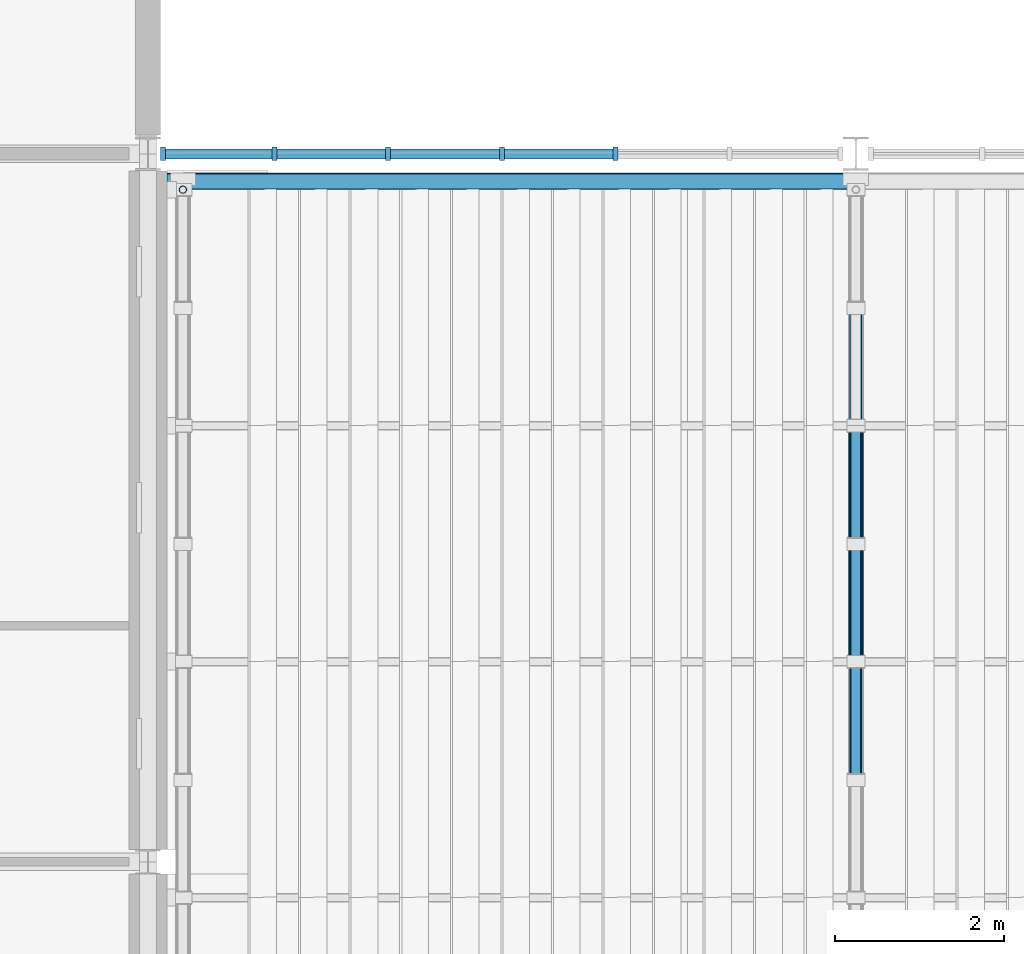
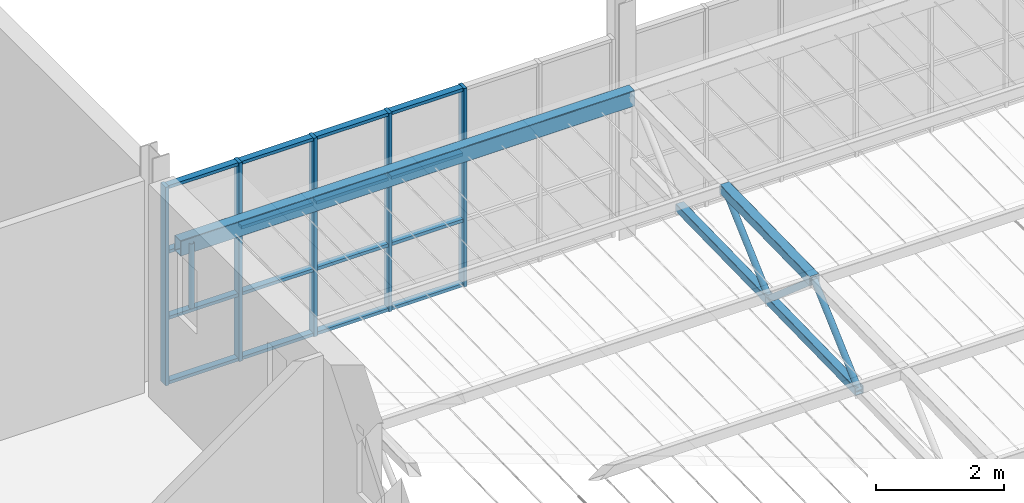
# One storey, part 18 of 129: 28 members, 1 beam, 1 element without a shape of its own.
"""IFC4 building model written with IfcOpenShell, lengths in metres."""

from ifc_helpers import new_model, si_unit, direction, frame, origin, origin_2d, place, context, subcontext, project, spatial, rectangle, hollow_rectangle, hollow_circle, extrude, material, layer, layer_set, material_profile, profile_set, type_object, element, aggregate, save


model = new_model("IFC4")

# Units and contexts
model_context = context("Model", 3, precision=1e-05, world=origin(), true_north=direction((0.0, 1.0)))
body_context = subcontext(model_context, "Body", "Model", "MODEL_VIEW")
ifc_project = project(units=[si_unit("LENGTHUNIT", "METRE"), si_unit("AREAUNIT", "SQUARE_METRE"), si_unit("VOLUMEUNIT", "CUBIC_METRE"), si_unit("PLANEANGLEUNIT", "RADIAN"), si_unit("MASSUNIT", "GRAM", prefix="KILO")], contexts=[model_context])

# Site, building, storey
site_placement = place(None, origin())
site = spatial("IfcSite", under=ifc_project, at=site_placement, CompositionType="ELEMENT")
building_placement = place(site_placement, origin())
building = spatial("IfcBuilding", under=site, at=building_placement, Name="Ardhachandra Cancer Care Centre", CompositionType="ELEMENT")
storey_placement = place(building_placement, frame((0.0, 0.0, 4.5)))
storey = spatial("IfcBuildingStorey", under=building, at=storey_placement, Name="L01", CompositionType="ELEMENT", Elevation=4.5)

# Beam
ifc_material_1 = material(Name="Steel E350 (IS 2062)", Category="steel")
ifc_material_profile_1 = material_profile(ifc_material_1, hollow_rectangle(XDim=0.199951171875, YDim=0.300048828125, WallThickness=0.010009765625, InnerFilletRadius=0.010009765625, OuterFilletRadius=0.02001953125, at=origin_2d()), Name="RHS 300x200x10.0")
ifc_profile_set_1 = profile_set([ifc_material_profile_1], Name="Steel E350 (IS 2062)")
beam_type = type_object("IfcBeamType", Name="Canopy ring and eave beam RHS 300x200x10.0", PredefinedType="BEAM", material=ifc_profile_set_1)
beam_placement = place(storey_placement, frame((44.625, 54.27490234375, 2.79541015625), z_axis=(1.0, 0.0, 0.0), x_axis=(0.0, 1.0, 0.0)))
element("IfcBeam", 1, at=beam_placement, inside=storey, type_object=beam_type, Name="Canopy eave beam 1", PredefinedType="BEAM", context=body_context, shape_type="SweptSolid", body=[
    extrude(hollow_rectangle(XDim=0.199951171875, YDim=0.300048828125, WallThickness=0.010009765625, InnerFilletRadius=0.010009765625, OuterFilletRadius=0.02001953125, at=origin_2d()), origin(), (0.0, 0.0, 1.0), 8.175048828125),
])

# Members
ifc_material_2 = material(Name="Steel E350 (IS 2062)", Category="steel")
ifc_material_profile_2 = material_profile(ifc_material_2, hollow_rectangle(XDim=0.14990234375, YDim=0.14990234375, WallThickness=0.006103515625, InnerFilletRadius=0.006103515625, OuterFilletRadius=0.011962890625, at=origin_2d()), Name="SHS 150x150x6.0")
ifc_profile_set_2 = profile_set([ifc_material_profile_2], Name="Steel E350 (IS 2062)")
member_type_1 = type_object("IfcMemberType", Name="Canopy truss bottom chord SHS 150x150x6.0", PredefinedType="CHORD", material=ifc_profile_set_2)
member_1_placement = place(storey_placement, frame((52.800048828125, 52.77490234375, 1.590576171875), z_axis=(0.0, -0.999798942946, -0.020051775103), x_axis=(1.0, 0.0, 0.0)))
element("IfcMember", 2, at=member_1_placement, inside=storey, type_object=member_type_1, Name="Canopy truss 2 bottom chord BC11", PredefinedType="CHORD", context=body_context, shape_type="SweptSolid", body=[
    extrude(hollow_rectangle(XDim=0.14990234375, YDim=0.14990234375, WallThickness=0.006103515625, InnerFilletRadius=0.006103515625, OuterFilletRadius=0.011962890625, at=origin_2d()), origin(), (0.0, 0.0, 1.0), 2.80029296875),
])
member_2_placement = place(storey_placement, frame((52.800048828125, 49.97509765625, 1.534423828125), z_axis=(0.0, -0.999800721691, -0.019962888244), x_axis=(1.0, 0.0, 0.0)))
element("IfcMember", 3, at=member_2_placement, inside=storey, type_object=member_type_1, Name="Canopy truss 2 bottom chord BC12", PredefinedType="CHORD", context=body_context, shape_type="SweptSolid", body=[
    extrude(hollow_rectangle(XDim=0.14990234375, YDim=0.14990234375, WallThickness=0.006103515625, InnerFilletRadius=0.006103515625, OuterFilletRadius=0.011962890625, at=origin_2d()), origin(), (0.0, 0.0, 1.0), 2.800537109375),
])
ifc_material_3 = material(Name="Steel E350 (IS 2062)", Category="steel")
ifc_material_profile_3 = material_profile(ifc_material_3, hollow_circle(Radius=0.05712890625, WallThickness=0.0048828125, at=origin_2d()), Name="CHS 114.3x5.0")
ifc_profile_set_3 = profile_set([ifc_material_profile_3], Name="Steel E350 (IS 2062)")
member_type_2 = type_object("IfcMemberType", Name="Canopy truss diagonal CHS 114.3x5.0", PredefinedType="BRACE", material=ifc_profile_set_3)
member_3_placement = place(storey_placement, frame((52.800048828125, 51.375, 2.797607421875), z_axis=(0.0, -0.742430813776, -0.669922746857), x_axis=(1.0, 0.0, 0.0)))
element("IfcMember", 4, at=member_3_placement, inside=storey, type_object=member_type_2, Name="Canopy truss 2 web diagonal WD21", PredefinedType="BRACE", context=body_context, shape_type="SweptSolid", body=[
    extrude(hollow_circle(Radius=0.05712890625, WallThickness=0.0048828125, at=origin_2d()), origin(), (0.0, 0.0, 1.0), 1.885498046875),
])
member_4_placement = place(storey_placement, frame((52.800048828125, 49.97509765625, 1.534423828125), z_axis=(0.0, -0.75740770942, 0.65294223459), x_axis=(1.0, 0.0, 0.0)))
element("IfcMember", 5, at=member_4_placement, inside=storey, type_object=member_type_2, Name="Canopy truss 2 web diagonal WD22", PredefinedType="BRACE", context=body_context, shape_type="SweptSolid", body=[
    extrude(hollow_circle(Radius=0.05712890625, WallThickness=0.0048828125, at=origin_2d()), origin(), (0.0, 0.0, 1.0), 1.8486328125),
])
member_5_placement = place(storey_placement, frame((52.800048828125, 48.574951171875, 2.741455078125), z_axis=(0.0, -0.742495214915, -0.669851368461), x_axis=(1.0, 0.0, 0.0)))
element("IfcMember", 6, at=member_5_placement, inside=storey, type_object=member_type_2, Name="Canopy truss 2 web diagonal WD23", PredefinedType="BRACE", context=body_context, shape_type="SweptSolid", body=[
    extrude(hollow_circle(Radius=0.05712890625, WallThickness=0.0048828125, at=origin_2d()), origin(), (0.0, 0.0, 1.0), 1.885498046875),
])
ifc_material_4 = material(Name="Steel E350 (IS 2062)", Category="steel")
ifc_material_profile_4 = material_profile(ifc_material_4, hollow_circle(Radius=0.04443359375, WallThickness=0.00390625, at=origin_2d()), Name="CHS 88.9x4.0")
ifc_profile_set_4 = profile_set([ifc_material_profile_4], Name="Steel E350 (IS 2062)")
member_type_3 = type_object("IfcMemberType", Name="Canopy truss post CHS 88.9x4.0", PredefinedType="POST", material=ifc_profile_set_4)
member_6_placement = place(storey_placement, frame((44.81494140625, 54.175048828125, 2.853515625), z_axis=(0.0, 0.0, -1.0), x_axis=(1.0, 0.0, 0.0)))
element("IfcMember", 7, at=member_6_placement, inside=storey, type_object=member_type_3, Name="Canopy truss 1 web vertical WV34", PredefinedType="POST", context=body_context, shape_type="SweptSolid", body=[
    extrude(hollow_circle(Radius=0.04443359375, WallThickness=0.00390625, at=origin_2d()), origin(), (0.0, 0.0, 1.0), 1.235107421875),
])
ifc_material_5 = material(Name="Steel E350 (IS 2062)", Category="steel")
ifc_material_profile_5 = material_profile(ifc_material_5, hollow_rectangle(XDim=0.179931640625, YDim=0.179931640625, WallThickness=0.008056640625, InnerFilletRadius=0.008056640625, OuterFilletRadius=0.01611328125, at=origin_2d()), Name="SHS 180x180x8.0")
ifc_profile_set_5 = profile_set([ifc_material_profile_5], Name="Steel E350 (IS 2062)")
member_type_4 = type_object("IfcMemberType", Name="Canopy truss top chord SHS 180x180x8.0", PredefinedType="CHORD", material=ifc_profile_set_5)
member_7_placement = place(storey_placement, frame((52.800048828125, 51.375, 2.797607421875), z_axis=(0.0, -0.999798977995, -0.02005002746), x_axis=(1.0, 0.0, 0.0)))
element("IfcMember", 8, at=member_7_placement, inside=storey, type_object=member_type_4, Name="Canopy truss 2 top chord TC2", PredefinedType="CHORD", context=body_context, shape_type="SweptSolid", body=[
    extrude(hollow_rectangle(XDim=0.179931640625, YDim=0.179931640625, WallThickness=0.008056640625, InnerFilletRadius=0.008056640625, OuterFilletRadius=0.01611328125, at=origin_2d()), origin(), (0.0, 0.0, 1.0), 2.800537109375),
])

# Curtain wall, members
ifc_material_6 = material(Name="Aluminium extrusion", Category="aluminium")
ifc_layer = layer(ifc_material_6, 0.14990234375)
ifc_layer_set = layer_set([ifc_layer], Name="Aluminium extrusion")
curtain_wall_type = type_object("IfcCurtainWallType", Name="Curtain wall run", PredefinedType="NOTDEFINED", material=ifc_layer_set)
curtain_wall_placement = place(storey_placement, origin())
curtain_wall = element("IfcCurtainWall", 9, at=curtain_wall_placement, inside=storey, type_object=curtain_wall_type, Name="Curtain wall L01 s/0044400_0054600", PredefinedType="NOTDEFINED")
ifc_material_7 = material(Name="Aluminium extrusion", Category="aluminium")
ifc_material_profile_6 = material_profile(ifc_material_7, rectangle(XDim=0.159912109375, YDim=0.06005859375, at=origin_2d()), Name="Curtain wall mullion 60 x 160")
ifc_profile_set_6 = profile_set([ifc_material_profile_6], Name="Aluminium extrusion")
member_type_5 = type_object("IfcMemberType", Name="Curtain wall mullion 60 x 160", PredefinedType="MULLION", material=ifc_profile_set_6)
member_8_placement = place(storey_placement, frame((44.580078125, 54.60009765625, 0.0), z_axis=(0.0, 0.0, 1.0), x_axis=(0.0, 1.0, 0.0)))
member_8 = element("IfcMember", 10, at=member_8_placement, type_object=member_type_5, Name="CW mullion 1", PredefinedType="MULLION", context=body_context, shape_type="SweptSolid", body=[
    extrude(rectangle(XDim=0.159912109375, YDim=0.06005859375, at=origin_2d()), origin(), (0.0, 0.0, 1.0), 3.780517578125),
])
member_9_placement = place(storey_placement, frame((45.89990234375, 54.60009765625, 0.0), z_axis=(0.0, 0.0, 1.0), x_axis=(0.0, 1.0, 0.0)))
member_9 = element("IfcMember", 11, at=member_9_placement, type_object=member_type_5, Name="CW mullion 2", PredefinedType="MULLION", context=body_context, shape_type="SweptSolid", body=[
    extrude(rectangle(XDim=0.159912109375, YDim=0.06005859375, at=origin_2d()), origin(), (0.0, 0.0, 1.0), 3.780517578125),
])
member_10_placement = place(storey_placement, frame((47.25, 54.60009765625, 0.0), z_axis=(0.0, 0.0, 1.0), x_axis=(0.0, 1.0, 0.0)))
member_10 = element("IfcMember", 12, at=member_10_placement, type_object=member_type_5, Name="CW mullion 3", PredefinedType="MULLION", context=body_context, shape_type="SweptSolid", body=[
    extrude(rectangle(XDim=0.159912109375, YDim=0.06005859375, at=origin_2d()), origin(), (0.0, 0.0, 1.0), 3.780517578125),
])
member_11_placement = place(storey_placement, frame((48.60009765625, 54.60009765625, 0.0), z_axis=(0.0, 0.0, 1.0), x_axis=(0.0, 1.0, 0.0)))
member_11 = element("IfcMember", 13, at=member_11_placement, type_object=member_type_5, Name="CW mullion 4", PredefinedType="MULLION", context=body_context, shape_type="SweptSolid", body=[
    extrude(rectangle(XDim=0.159912109375, YDim=0.06005859375, at=origin_2d()), origin(), (0.0, 0.0, 1.0), 3.780517578125),
])
member_12_placement = place(storey_placement, frame((49.949951171875, 54.60009765625, 0.0), z_axis=(0.0, 0.0, 1.0), x_axis=(0.0, 1.0, 0.0)))
member_12 = element("IfcMember", 14, at=member_12_placement, type_object=member_type_5, Name="CW mullion 5", PredefinedType="MULLION", context=body_context, shape_type="SweptSolid", body=[
    extrude(rectangle(XDim=0.159912109375, YDim=0.06005859375, at=origin_2d()), origin(), (0.0, 0.0, 1.0), 3.780517578125),
])
ifc_material_8 = material(Name="Aluminium extrusion", Category="aluminium")
ifc_material_profile_7 = material_profile(ifc_material_8, rectangle(XDim=0.1201171875, YDim=0.06005859375, at=origin_2d()), Name="Curtain wall transom 60 x 120")
ifc_profile_set_7 = profile_set([ifc_material_profile_7], Name="Aluminium extrusion")
member_type_6 = type_object("IfcMemberType", Name="Curtain wall transom 60 x 120", PredefinedType="USERDEFINED", material=ifc_profile_set_7)
member_13_placement = place(storey_placement, frame((44.610107421875, 54.60009765625, 0.030029296875), z_axis=(1.0, 0.0, 0.0), x_axis=(0.0, 1.0, 0.0)))
member_13 = element("IfcMember", 15, at=member_13_placement, type_object=member_type_6, Name="CW transom 1.1", ObjectType="TRANSOM", PredefinedType="USERDEFINED", context=body_context, shape_type="SweptSolid", body=[
    extrude(rectangle(XDim=0.1201171875, YDim=0.06005859375, at=origin_2d()), origin(), (0.0, 0.0, 1.0), 1.260009765625),
])
member_14_placement = place(storey_placement, frame((44.610107421875, 54.60009765625, 1.26025390625), z_axis=(1.0, 0.0, 0.0), x_axis=(0.0, 1.0, 0.0)))
member_14 = element("IfcMember", 16, at=member_14_placement, type_object=member_type_6, Name="CW transom 1.2", ObjectType="TRANSOM", PredefinedType="USERDEFINED", context=body_context, shape_type="SweptSolid", body=[
    extrude(rectangle(XDim=0.1201171875, YDim=0.06005859375, at=origin_2d()), origin(), (0.0, 0.0, 1.0), 1.260009765625),
])
member_15_placement = place(storey_placement, frame((44.610107421875, 54.60009765625, 2.520263671875), z_axis=(1.0, 0.0, 0.0), x_axis=(0.0, 1.0, 0.0)))
member_15 = element("IfcMember", 17, at=member_15_placement, type_object=member_type_6, Name="CW transom 1.3", ObjectType="TRANSOM", PredefinedType="USERDEFINED", context=body_context, shape_type="SweptSolid", body=[
    extrude(rectangle(XDim=0.1201171875, YDim=0.06005859375, at=origin_2d()), origin(), (0.0, 0.0, 1.0), 1.260009765625),
])
member_16_placement = place(storey_placement, frame((44.610107421875, 54.60009765625, 3.75048828125), z_axis=(1.0, 0.0, 0.0), x_axis=(0.0, 1.0, 0.0)))
member_16 = element("IfcMember", 18, at=member_16_placement, type_object=member_type_6, Name="CW transom 1.4", ObjectType="TRANSOM", PredefinedType="USERDEFINED", context=body_context, shape_type="SweptSolid", body=[
    extrude(rectangle(XDim=0.1201171875, YDim=0.06005859375, at=origin_2d()), origin(), (0.0, 0.0, 1.0), 1.260009765625),
])
member_17_placement = place(storey_placement, frame((45.929931640625, 54.60009765625, 0.030029296875), z_axis=(1.0, 0.0, 0.0), x_axis=(0.0, 1.0, 0.0)))
member_17 = element("IfcMember", 19, at=member_17_placement, type_object=member_type_6, Name="CW transom 2.1", ObjectType="TRANSOM", PredefinedType="USERDEFINED", context=body_context, shape_type="SweptSolid", body=[
    extrude(rectangle(XDim=0.1201171875, YDim=0.06005859375, at=origin_2d()), origin(), (0.0, 0.0, 1.0), 1.2900390625),
])
member_18_placement = place(storey_placement, frame((45.929931640625, 54.60009765625, 1.26025390625), z_axis=(1.0, 0.0, 0.0), x_axis=(0.0, 1.0, 0.0)))
member_18 = element("IfcMember", 20, at=member_18_placement, type_object=member_type_6, Name="CW transom 2.2", ObjectType="TRANSOM", PredefinedType="USERDEFINED", context=body_context, shape_type="SweptSolid", body=[
    extrude(rectangle(XDim=0.1201171875, YDim=0.06005859375, at=origin_2d()), origin(), (0.0, 0.0, 1.0), 1.2900390625),
])
member_19_placement = place(storey_placement, frame((45.929931640625, 54.60009765625, 2.520263671875), z_axis=(1.0, 0.0, 0.0), x_axis=(0.0, 1.0, 0.0)))
member_19 = element("IfcMember", 21, at=member_19_placement, type_object=member_type_6, Name="CW transom 2.3", ObjectType="TRANSOM", PredefinedType="USERDEFINED", context=body_context, shape_type="SweptSolid", body=[
    extrude(rectangle(XDim=0.1201171875, YDim=0.06005859375, at=origin_2d()), origin(), (0.0, 0.0, 1.0), 1.2900390625),
])
member_20_placement = place(storey_placement, frame((45.929931640625, 54.60009765625, 3.75048828125), z_axis=(1.0, 0.0, 0.0), x_axis=(0.0, 1.0, 0.0)))
member_20 = element("IfcMember", 22, at=member_20_placement, type_object=member_type_6, Name="CW transom 2.4", ObjectType="TRANSOM", PredefinedType="USERDEFINED", context=body_context, shape_type="SweptSolid", body=[
    extrude(rectangle(XDim=0.1201171875, YDim=0.06005859375, at=origin_2d()), origin(), (0.0, 0.0, 1.0), 1.2900390625),
])
member_21_placement = place(storey_placement, frame((47.280029296875, 54.60009765625, 0.030029296875), z_axis=(1.0, 0.0, 0.0), x_axis=(0.0, 1.0, 0.0)))
member_21 = element("IfcMember", 23, at=member_21_placement, type_object=member_type_6, Name="CW transom 3.1", ObjectType="TRANSOM", PredefinedType="USERDEFINED", context=body_context, shape_type="SweptSolid", body=[
    extrude(rectangle(XDim=0.1201171875, YDim=0.06005859375, at=origin_2d()), origin(), (0.0, 0.0, 1.0), 1.2900390625),
])
member_22_placement = place(storey_placement, frame((47.280029296875, 54.60009765625, 1.26025390625), z_axis=(1.0, 0.0, 0.0), x_axis=(0.0, 1.0, 0.0)))
member_22 = element("IfcMember", 24, at=member_22_placement, type_object=member_type_6, Name="CW transom 3.2", ObjectType="TRANSOM", PredefinedType="USERDEFINED", context=body_context, shape_type="SweptSolid", body=[
    extrude(rectangle(XDim=0.1201171875, YDim=0.06005859375, at=origin_2d()), origin(), (0.0, 0.0, 1.0), 1.2900390625),
])
member_23_placement = place(storey_placement, frame((47.280029296875, 54.60009765625, 2.520263671875), z_axis=(1.0, 0.0, 0.0), x_axis=(0.0, 1.0, 0.0)))
member_23 = element("IfcMember", 25, at=member_23_placement, type_object=member_type_6, Name="CW transom 3.3", ObjectType="TRANSOM", PredefinedType="USERDEFINED", context=body_context, shape_type="SweptSolid", body=[
    extrude(rectangle(XDim=0.1201171875, YDim=0.06005859375, at=origin_2d()), origin(), (0.0, 0.0, 1.0), 1.2900390625),
])
member_24_placement = place(storey_placement, frame((47.280029296875, 54.60009765625, 3.75048828125), z_axis=(1.0, 0.0, 0.0), x_axis=(0.0, 1.0, 0.0)))
member_24 = element("IfcMember", 26, at=member_24_placement, type_object=member_type_6, Name="CW transom 3.4", ObjectType="TRANSOM", PredefinedType="USERDEFINED", context=body_context, shape_type="SweptSolid", body=[
    extrude(rectangle(XDim=0.1201171875, YDim=0.06005859375, at=origin_2d()), origin(), (0.0, 0.0, 1.0), 1.2900390625),
])
member_25_placement = place(storey_placement, frame((48.6298828125, 54.60009765625, 0.030029296875), z_axis=(1.0, 0.0, 0.0), x_axis=(0.0, 1.0, 0.0)))
member_25 = element("IfcMember", 27, at=member_25_placement, type_object=member_type_6, Name="CW transom 4.1", ObjectType="TRANSOM", PredefinedType="USERDEFINED", context=body_context, shape_type="SweptSolid", body=[
    extrude(rectangle(XDim=0.1201171875, YDim=0.06005859375, at=origin_2d()), origin(), (0.0, 0.0, 1.0), 1.2900390625),
])
member_26_placement = place(storey_placement, frame((48.6298828125, 54.60009765625, 1.26025390625), z_axis=(1.0, 0.0, 0.0), x_axis=(0.0, 1.0, 0.0)))
member_26 = element("IfcMember", 28, at=member_26_placement, type_object=member_type_6, Name="CW transom 4.2", ObjectType="TRANSOM", PredefinedType="USERDEFINED", context=body_context, shape_type="SweptSolid", body=[
    extrude(rectangle(XDim=0.1201171875, YDim=0.06005859375, at=origin_2d()), origin(), (0.0, 0.0, 1.0), 1.2900390625),
])
member_27_placement = place(storey_placement, frame((48.6298828125, 54.60009765625, 2.520263671875), z_axis=(1.0, 0.0, 0.0), x_axis=(0.0, 1.0, 0.0)))
member_27 = element("IfcMember", 29, at=member_27_placement, type_object=member_type_6, Name="CW transom 4.3", ObjectType="TRANSOM", PredefinedType="USERDEFINED", context=body_context, shape_type="SweptSolid", body=[
    extrude(rectangle(XDim=0.1201171875, YDim=0.06005859375, at=origin_2d()), origin(), (0.0, 0.0, 1.0), 1.2900390625),
])
member_28_placement = place(storey_placement, frame((48.6298828125, 54.60009765625, 3.75048828125), z_axis=(1.0, 0.0, 0.0), x_axis=(0.0, 1.0, 0.0)))
member_28 = element("IfcMember", 30, at=member_28_placement, type_object=member_type_6, Name="CW transom 4.4", ObjectType="TRANSOM", PredefinedType="USERDEFINED", context=body_context, shape_type="SweptSolid", body=[
    extrude(rectangle(XDim=0.1201171875, YDim=0.06005859375, at=origin_2d()), origin(), (0.0, 0.0, 1.0), 1.2900390625),
])
aggregate(curtain_wall, [member_8, member_9, member_10, member_11, member_12, member_13, member_14, member_15, member_16, member_17, member_18, member_19, member_20, member_21, member_22, member_23, member_24, member_25, member_26, member_27, member_28])

save(model, "model.ifc")
